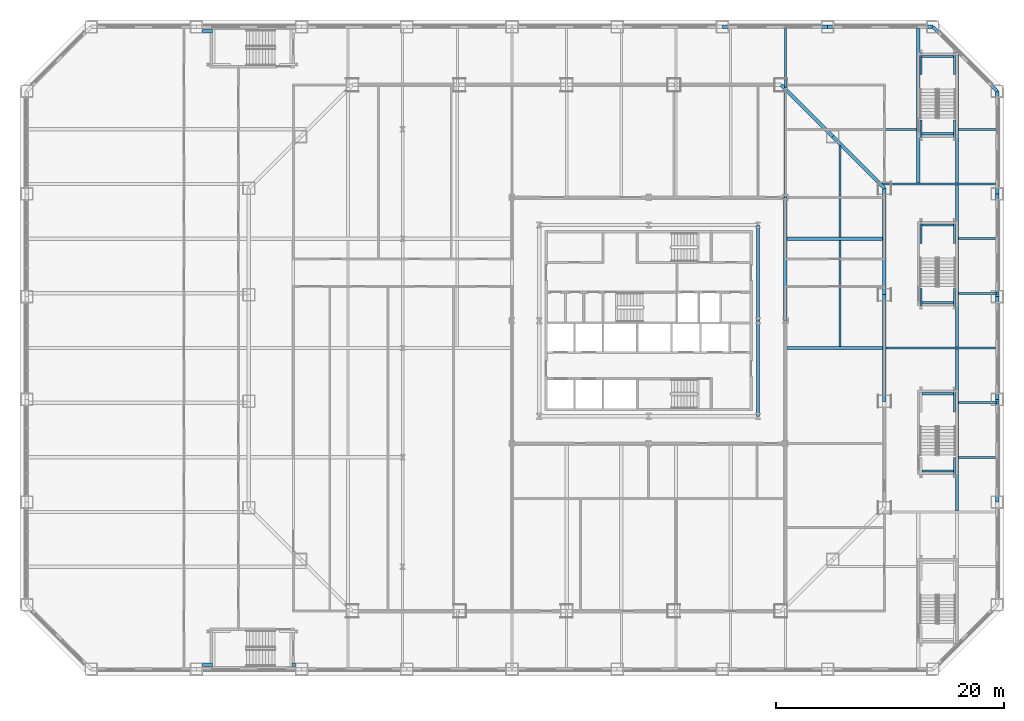
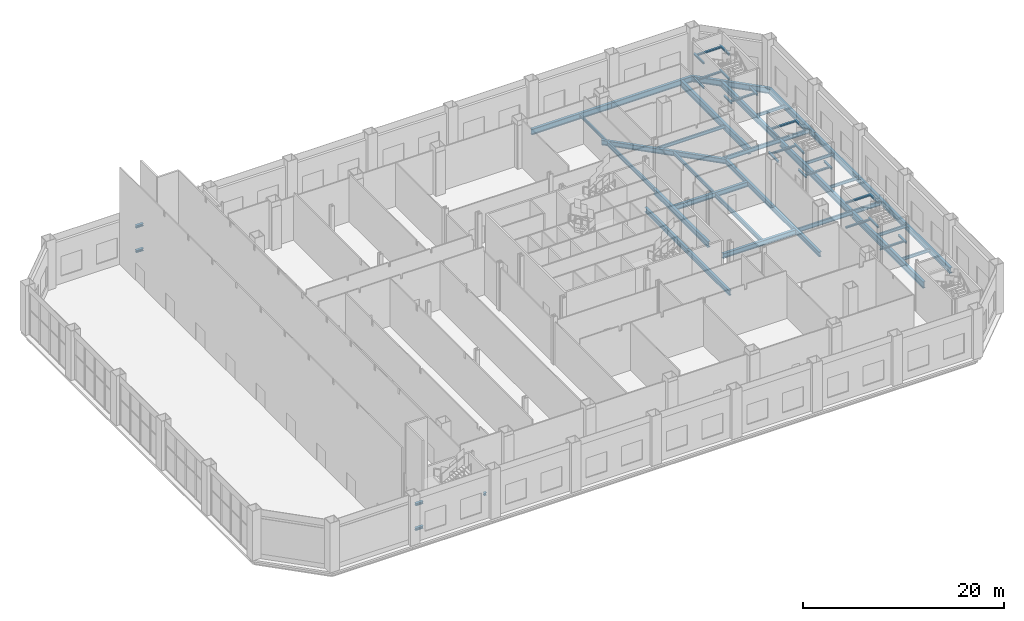
# One storey, part 13 of 31: 61 beams.
"""IFC4 building model written with IfcOpenShell, lengths in metres."""

from ifc_helpers import new_model, si_unit, direction, frame, origin, origin_2d, place, context, subcontext, project, spatial, i_section, extrude, material, material_profile, profile_set, type_object, element, save


model = new_model("IFC4")

# Units and contexts
model_context = context("Model", 3, precision=1e-05, world=origin(), true_north=direction((0.0, 1.0)))
body_context = subcontext(model_context, "Body", "Model", "MODEL_VIEW")
ifc_project = project(units=[si_unit("LENGTHUNIT", "METRE"), si_unit("AREAUNIT", "SQUARE_METRE"), si_unit("VOLUMEUNIT", "CUBIC_METRE"), si_unit("PLANEANGLEUNIT", "RADIAN"), si_unit("MASSUNIT", "GRAM", prefix="KILO")], contexts=[model_context])

# Site, building, storey
site_placement = place(None, origin())
site = spatial("IfcSite", under=ifc_project, at=site_placement, CompositionType="ELEMENT")
building_placement = place(site_placement, origin())
building = spatial("IfcBuilding", under=site, at=building_placement, Name="Cairn Pilgrim Tower", CompositionType="ELEMENT")
storey_placement = place(building_placement, frame((0.0, 0.0, 9.0)))
storey = spatial("IfcBuildingStorey", under=building, at=storey_placement, Name="L01", CompositionType="ELEMENT", Elevation=9.0)

# Beams
ifc_material = material(Name="Structural steel S355J2", Category="steel")
ifc_material_profile_1 = material_profile(ifc_material, i_section(OverallWidth=0.169921875, OverallDepth=0.360107421875, WebThickness=0.008056640625, FlangeThickness=0.0126953125, FilletRadius=0.01806640625, at=origin_2d()), Name="IPE 360")
ifc_profile_set_1 = profile_set([ifc_material_profile_1], Name="Structural steel S355J2")
beam_type_1 = type_object("IfcBeamType", Name="PODIUM BEAM IPE 360", PredefinedType="BEAM", material=ifc_profile_set_1)
beam_1_placement = place(storey_placement, frame((34.422119140625, -9.60009765625, -0.3798828125), z_axis=(1.0, 0.0, 0.0), x_axis=(0.0, 1.0, 0.0)))
element("IfcBeam", 1, at=beam_1_placement, inside=storey, type_object=beam_type_1, Name="PODIUM BEAM PB-IPE360", PredefinedType="BEAM", context=body_context, shape_type="SweptSolid", body=[
    extrude(i_section(OverallWidth=0.169921875, OverallDepth=0.360107421875, WebThickness=0.008056640625, FlangeThickness=0.0126953125, FilletRadius=0.01806640625, at=origin_2d()), origin(), (0.0, 0.0, 1.0), 3.225830078125),
])
for number, where, z_axis, x_axis, name in (
    (2, (34.422119140625, -4.800048828125, -0.3798828125), (1.0, 0.0, 0.0), (0.0, 1.0, 0.0), "PODIUM BEAM PB-IPE360"),
    (3, (34.422119140625, 4.800048828125, -0.3798828125), (1.0, 0.0, 0.0), (0.0, 1.0, 0.0), "PODIUM BEAM PB-IPE360"),
):
    element("IfcBeam", number, at=place(storey_placement, frame(where, z_axis=z_axis, x_axis=x_axis)), inside=storey, type_object=beam_type_1, Name=name, PredefinedType="BEAM", context=body_context, shape_type="SweptSolid", body=[
        extrude(i_section(OverallWidth=0.169921875, OverallDepth=0.360107421875, WebThickness=0.008056640625, FlangeThickness=0.0126953125, FilletRadius=0.01806640625, at=origin_2d()), origin(), (0.0, 0.0, 1.0), 3.3779296875),
    ])
for number, where, z_axis, x_axis, name in (
    (4, (34.422119140625, 9.60009765625, -0.3798828125), (1.0, 0.0, 0.0), (0.0, 1.0, 0.0), "PODIUM BEAM PB-IPE360"),
    (5, (34.422119140625, 19.199951171875, -0.3798828125), (1.0, 0.0, 0.0), (0.0, 1.0, 0.0), "PODIUM BEAM PB-IPE360"),
):
    element("IfcBeam", number, at=place(storey_placement, frame(where, z_axis=z_axis, x_axis=x_axis)), inside=storey, type_object=beam_type_1, Name=name, PredefinedType="BEAM", context=body_context, shape_type="SweptSolid", body=[
        extrude(i_section(OverallWidth=0.169921875, OverallDepth=0.360107421875, WebThickness=0.008056640625, FlangeThickness=0.0126953125, FilletRadius=0.01806640625, at=origin_2d()), origin(), (0.0, 0.0, 1.0), 3.225830078125),
    ])
beam_2_placement = place(storey_placement, frame((19.199951171875, 22.879150390625, -0.3798828125), z_axis=(0.0, 1.0, 0.0), x_axis=(-1.0, 0.0, 0.0)))
element("IfcBeam", 6, at=beam_2_placement, inside=storey, type_object=beam_type_1, Name="PODIUM BEAM PB-IPE360", PredefinedType="BEAM", context=body_context, shape_type="SweptSolid", body=[
    extrude(i_section(OverallWidth=0.169921875, OverallDepth=0.360107421875, WebThickness=0.008056640625, FlangeThickness=0.0126953125, FilletRadius=0.01806640625, at=origin_2d()), origin(), (0.0, 0.0, 1.0), 5.1689453125),
])
ifc_material_profile_2 = material_profile(ifc_material, i_section(OverallWidth=0.179931640625, OverallDepth=0.39990234375, WebThickness=0.008544921875, FlangeThickness=0.013427734375, FilletRadius=0.02099609375, at=origin_2d()), Name="IPE 400")
ifc_profile_set_2 = profile_set([ifc_material_profile_2], Name="Structural steel S355J2")
beam_type_2 = type_object("IfcBeamType", Name="PODIUM BEAM IPE 400", PredefinedType="BEAM", material=ifc_profile_set_2)
beam_3_placement = place(storey_placement, frame((24.0, 9.751953125, -0.39990234375), z_axis=(0.0, 1.0, 0.0), x_axis=(-1.0, 0.0, 0.0)))
element("IfcBeam", 7, at=beam_3_placement, inside=storey, type_object=beam_type_2, Name="PODIUM BEAM PB-IPE400", PredefinedType="BEAM", context=body_context, shape_type="SweptSolid", body=[
    extrude(i_section(OverallWidth=0.179931640625, OverallDepth=0.39990234375, WebThickness=0.008544921875, FlangeThickness=0.013427734375, FilletRadius=0.02099609375, at=origin_2d()), origin(), (0.0, 0.0, 1.0), 8.023193359375),
])
beam_4_placement = place(storey_placement, frame((22.879150390625, 19.199951171875, -0.39990234375), z_axis=(1.0, 0.0, 0.0), x_axis=(0.0, 1.0, 0.0)))
element("IfcBeam", 8, at=beam_4_placement, inside=storey, type_object=beam_type_2, Name="PODIUM BEAM PB-IPE400", PredefinedType="BEAM", context=body_context, shape_type="SweptSolid", body=[
    extrude(i_section(OverallWidth=0.179931640625, OverallDepth=0.39990234375, WebThickness=0.008544921875, FlangeThickness=0.013427734375, FilletRadius=0.02099609375, at=origin_2d()), origin(), (0.0, 0.0, 1.0), 7.848876953125),
])
ifc_material_profile_3 = material_profile(ifc_material, i_section(OverallWidth=0.199951171875, OverallDepth=0.5, WebThickness=0.01025390625, FlangeThickness=0.01611328125, FilletRadius=0.02099609375, at=origin_2d()), Name="IPE 500")
ifc_profile_set_3 = profile_set([ifc_material_profile_3], Name="Structural steel S355J2")
beam_type_3 = type_object("IfcBeamType", Name="PODIUM BEAM IPE 500", PredefinedType="BEAM", material=ifc_profile_set_3)
beam_5_placement = place(storey_placement, frame((19.199951171875, 13.199951171875, -0.449951171875), z_axis=(0.0, 1.0, 0.0), x_axis=(-1.0, 0.0, 0.0)))
element("IfcBeam", 9, at=beam_5_placement, inside=storey, type_object=beam_type_3, Name="PODIUM BEAM PB-IPE500", PredefinedType="BEAM", context=body_context, shape_type="SweptSolid", body=[
    extrude(i_section(OverallWidth=0.199951171875, OverallDepth=0.5, WebThickness=0.01025390625, FlangeThickness=0.01611328125, FilletRadius=0.02099609375, at=origin_2d()), origin(), (0.0, 0.0, 1.0), 9.375244140625),
])
beam_6_placement = place(storey_placement, frame((24.0, 0.152099609375, -0.449951171875), z_axis=(0.0, 1.0, 0.0), x_axis=(-1.0, 0.0, 0.0)))
element("IfcBeam", 10, at=beam_6_placement, inside=storey, type_object=beam_type_3, Name="PODIUM BEAM PB-IPE500", PredefinedType="BEAM", context=body_context, shape_type="SweptSolid", body=[
    extrude(i_section(OverallWidth=0.199951171875, OverallDepth=0.5, WebThickness=0.01025390625, FlangeThickness=0.01611328125, FilletRadius=0.02099609375, at=origin_2d()), origin(), (0.0, 0.0, 1.0), 9.2958984375),
])
beam_7_placement = place(storey_placement, frame((28.052001953125, 0.0, -0.449951171875), z_axis=(1.0, 0.0, 0.0), x_axis=(0.0, 1.0, 0.0)))
element("IfcBeam", 11, at=beam_7_placement, inside=storey, type_object=beam_type_3, Name="PODIUM BEAM PB-IPE500", PredefinedType="BEAM", context=body_context, shape_type="SweptSolid", body=[
    extrude(i_section(OverallWidth=0.199951171875, OverallDepth=0.5, WebThickness=0.01025390625, FlangeThickness=0.01611328125, FilletRadius=0.02099609375, at=origin_2d()), origin(), (0.0, 0.0, 1.0), 9.595947265625),
])
beam_8_placement = place(storey_placement, frame((27.67919921875, 14.39990234375, -0.449951171875), z_axis=(1.0, 0.0, 0.0), x_axis=(0.0, 1.0, 0.0)))
element("IfcBeam", 12, at=beam_8_placement, inside=storey, type_object=beam_type_3, Name="PODIUM BEAM PB-IPE500", PredefinedType="BEAM", context=body_context, shape_type="SweptSolid", body=[
    extrude(i_section(OverallWidth=0.199951171875, OverallDepth=0.5, WebThickness=0.01025390625, FlangeThickness=0.01611328125, FilletRadius=0.02099609375, at=origin_2d()), origin(), (0.0, 0.0, 1.0), 9.96875),
])
ifc_material_profile_4 = material_profile(ifc_material, i_section(OverallWidth=0.300048828125, OverallDepth=0.699951171875, WebThickness=0.01708984375, FlangeThickness=0.031982421875, FilletRadius=0.027099609375, at=origin_2d()), Name="HEB 700")
ifc_profile_set_4 = profile_set([ifc_material_profile_4], Name="Structural steel S355J2")
beam_type_4 = type_object("IfcBeamType", Name="PODIUM EDGE GIRDER HE 700 B", PredefinedType="BEAM", material=ifc_profile_set_4)
beam_9_placement = place(storey_placement, frame((37.800048828125, -13.531005859375, -0.550048828125), z_axis=(0.0, 1.0, 0.0), x_axis=(-1.0, 0.0, 0.0)))
element("IfcBeam", 13, at=beam_9_placement, inside=storey, type_object=beam_type_4, Name="PODIUM EDGE GIRDER PE-HE700B", PredefinedType="BEAM", context=body_context, shape_type="SweptSolid", body=[
    extrude(i_section(OverallWidth=0.300048828125, OverallDepth=0.699951171875, WebThickness=0.01708984375, FlangeThickness=0.031982421875, FilletRadius=0.027099609375, at=origin_2d()), origin(), (0.0, 0.0, 1.0), 9.020751953125),
])
beam_10_placement = place(storey_placement, frame((37.800048828125, -4.51025390625, -0.550048828125), z_axis=(0.0, 1.0, 0.0), x_axis=(-1.0, 0.0, 0.0)))
element("IfcBeam", 14, at=beam_10_placement, inside=storey, type_object=beam_type_4, Name="PODIUM EDGE GIRDER PE-HE700B", PredefinedType="BEAM", context=body_context, shape_type="SweptSolid", body=[
    extrude(i_section(OverallWidth=0.300048828125, OverallDepth=0.699951171875, WebThickness=0.01708984375, FlangeThickness=0.031982421875, FilletRadius=0.027099609375, at=origin_2d()), origin(), (0.0, 0.0, 1.0), 9.0205078125),
])
beam_11_placement = place(storey_placement, frame((37.800048828125, 4.51025390625, -0.550048828125), z_axis=(0.0, 1.0, 0.0), x_axis=(-1.0, 0.0, 0.0)))
element("IfcBeam", 15, at=beam_11_placement, inside=storey, type_object=beam_type_4, Name="PODIUM EDGE GIRDER PE-HE700B", PredefinedType="BEAM", context=body_context, shape_type="SweptSolid", body=[
    extrude(i_section(OverallWidth=0.300048828125, OverallDepth=0.699951171875, WebThickness=0.01708984375, FlangeThickness=0.031982421875, FilletRadius=0.027099609375, at=origin_2d()), origin(), (0.0, 0.0, 1.0), 9.020751953125),
])
beam_12_placement = place(storey_placement, frame((37.800048828125, 13.531005859375, -0.550048828125), z_axis=(0.0, 1.0, 0.0), x_axis=(-1.0, 0.0, 0.0)))
element("IfcBeam", 16, at=beam_12_placement, inside=storey, type_object=beam_type_4, Name="PODIUM EDGE GIRDER PE-HE700B", PredefinedType="BEAM", context=body_context, shape_type="SweptSolid", body=[
    extrude(i_section(OverallWidth=0.300048828125, OverallDepth=0.699951171875, WebThickness=0.01708984375, FlangeThickness=0.031982421875, FilletRadius=0.027099609375, at=origin_2d()), origin(), (0.0, 0.0, 1.0), 9.0205078125),
])
beam_13_placement = place(storey_placement, frame((37.800048828125, 22.551513671875, -0.550048828125), z_axis=(-0.707106781187, 0.707106781187, 0.0), x_axis=(-0.707106781187, -0.707106781187, 0.0)))
element("IfcBeam", 17, at=beam_13_placement, inside=storey, type_object=beam_type_4, Name="PODIUM EDGE GIRDER PE-HE700B", PredefinedType="BEAM", context=body_context, shape_type="SweptSolid", body=[
    extrude(i_section(OverallWidth=0.300048828125, OverallDepth=0.699951171875, WebThickness=0.01708984375, FlangeThickness=0.031982421875, FilletRadius=0.027099609375, at=origin_2d()), origin(), (0.0, 0.0, 1.0), 7.988037109375),
])
beam_14_placement = place(storey_placement, frame((32.151611328125, 28.199951171875, -0.550048828125), z_axis=(-1.0, 0.0, 0.0), x_axis=(0.0, -1.0, 0.0)))
element("IfcBeam", 18, at=beam_14_placement, inside=storey, type_object=beam_type_4, Name="PODIUM EDGE GIRDER PE-HE700B", PredefinedType="BEAM", context=body_context, shape_type="SweptSolid", body=[
    extrude(i_section(OverallWidth=0.300048828125, OverallDepth=0.699951171875, WebThickness=0.01708984375, FlangeThickness=0.031982421875, FilletRadius=0.027099609375, at=origin_2d()), origin(), (0.0, 0.0, 1.0), 9.238037109375),
])
beam_15_placement = place(storey_placement, frame((22.91357421875, 28.199951171875, -0.550048828125), z_axis=(-1.0, 0.0, 0.0), x_axis=(0.0, -1.0, 0.0)))
element("IfcBeam", 19, at=beam_15_placement, inside=storey, type_object=beam_type_4, Name="PODIUM EDGE GIRDER PE-HE700B", PredefinedType="BEAM", context=body_context, shape_type="SweptSolid", body=[
    extrude(i_section(OverallWidth=0.300048828125, OverallDepth=0.699951171875, WebThickness=0.01708984375, FlangeThickness=0.031982421875, FilletRadius=0.027099609375, at=origin_2d()), origin(), (0.0, 0.0, 1.0), 9.23779296875),
])
ifc_material_profile_5 = material_profile(ifc_material, i_section(OverallWidth=0.300048828125, OverallDepth=0.60009765625, WebThickness=0.015380859375, FlangeThickness=0.030029296875, FilletRadius=0.027099609375, at=origin_2d()), Name="HEB 600")
ifc_profile_set_5 = profile_set([ifc_material_profile_5], Name="Structural steel S355J2")
beam_type_5 = type_object("IfcBeamType", Name="PODIUM GIRDER HE 600 B", PredefinedType="BEAM", material=ifc_profile_set_5)
beam_16_placement = place(storey_placement, frame((27.89990234375, -4.67578125, -0.5), z_axis=(0.0, 1.0, 0.0), x_axis=(-1.0, 0.0, 0.0)))
element("IfcBeam", 20, at=beam_16_placement, inside=storey, type_object=beam_type_5, Name="PODIUM GIRDER PG-HE600B", PredefinedType="BEAM", context=body_context, shape_type="SweptSolid", body=[
    extrude(i_section(OverallWidth=0.300048828125, OverallDepth=0.60009765625, WebThickness=0.015380859375, FlangeThickness=0.030029296875, FilletRadius=0.027099609375, at=origin_2d()), origin(), (0.0, 0.0, 1.0), 9.3515625),
])
beam_17_placement = place(storey_placement, frame((27.89990234375, 4.67578125, -0.5), z_axis=(0.0, 1.0, 0.0), x_axis=(-1.0, 0.0, 0.0)))
element("IfcBeam", 21, at=beam_17_placement, inside=storey, type_object=beam_type_5, Name="PODIUM GIRDER PG-HE600B", PredefinedType="BEAM", context=body_context, shape_type="SweptSolid", body=[
    extrude(i_section(OverallWidth=0.300048828125, OverallDepth=0.60009765625, WebThickness=0.015380859375, FlangeThickness=0.030029296875, FilletRadius=0.027099609375, at=origin_2d()), origin(), (0.0, 0.0, 1.0), 9.351318359375),
])
for number, where, z_axis, x_axis, name in (
    (22, (27.89990234375, 14.027099609375, -0.5), (-0.707087753759, 0.707125808102, 0.0), (-0.707125808102, -0.707087753759, 0.0), "PODIUM GIRDER PG-HE600B"),
    (23, (23.363525390625, 18.563720703125, -0.5), (-0.707106781187, 0.707106781187, 0.0), (-0.707106781187, -0.707106781187, 0.0), "PODIUM GIRDER PG-HE600B"),
):
    element("IfcBeam", number, at=place(storey_placement, frame(where, z_axis=z_axis, x_axis=x_axis)), inside=storey, type_object=beam_type_5, Name=name, PredefinedType="BEAM", context=body_context, shape_type="SweptSolid", body=[
        extrude(i_section(OverallWidth=0.300048828125, OverallDepth=0.60009765625, WebThickness=0.015380859375, FlangeThickness=0.030029296875, FilletRadius=0.027099609375, at=origin_2d()), origin(), (0.0, 0.0, 1.0), 6.41552734375),
    ])
beam_18_placement = place(storey_placement, frame((16.800048828125, -6.0, -0.5), z_axis=(0.0, 1.0, 0.0), x_axis=(-1.0, 0.0, 0.0)))
element("IfcBeam", 24, at=beam_18_placement, inside=storey, type_object=beam_type_5, Name="PODIUM GIRDER PG-HE600B", PredefinedType="BEAM", context=body_context, shape_type="SweptSolid", body=[
    extrude(i_section(OverallWidth=0.300048828125, OverallDepth=0.60009765625, WebThickness=0.015380859375, FlangeThickness=0.030029296875, FilletRadius=0.027099609375, at=origin_2d()), origin(), (0.0, 0.0, 1.0), 8.39990234375),
])
beam_19_placement = place(storey_placement, frame((16.800048828125, 2.39990234375, -0.5), z_axis=(0.0, 1.0, 0.0), x_axis=(-1.0, 0.0, 0.0)))
element("IfcBeam", 25, at=beam_19_placement, inside=storey, type_object=beam_type_5, Name="PODIUM GIRDER PG-HE600B", PredefinedType="BEAM", context=body_context, shape_type="SweptSolid", body=[
    extrude(i_section(OverallWidth=0.300048828125, OverallDepth=0.60009765625, WebThickness=0.015380859375, FlangeThickness=0.030029296875, FilletRadius=0.027099609375, at=origin_2d()), origin(), (0.0, 0.0, 1.0), 8.400146484375),
])
for number, where, z_axis, x_axis, name in (
    (26, (19.35205078125, 0.0, -0.5), (1.0, 0.0, 0.0), (0.0, 1.0, 0.0), "PODIUM GIRDER PG-HE600B"),
    (27, (19.35205078125, 9.60009765625, -0.5), (1.0, 0.0, 0.0), (0.0, 1.0, 0.0), "PODIUM GIRDER PG-HE600B"),
):
    element("IfcBeam", number, at=place(storey_placement, frame(where, z_axis=z_axis, x_axis=x_axis)), inside=storey, type_object=beam_type_5, Name=name, PredefinedType="BEAM", context=body_context, shape_type="SweptSolid", body=[
        extrude(i_section(OverallWidth=0.300048828125, OverallDepth=0.60009765625, WebThickness=0.015380859375, FlangeThickness=0.030029296875, FilletRadius=0.027099609375, at=origin_2d()), origin(), (0.0, 0.0, 1.0), 8.39599609375),
    ])
ifc_material_profile_6 = material_profile(ifc_material, i_section(OverallWidth=0.300048828125, OverallDepth=0.699951171875, WebThickness=0.01708984375, FlangeThickness=0.031982421875, FilletRadius=0.027099609375, at=origin_2d()), Name="HEB 700")
ifc_profile_set_6 = profile_set([ifc_material_profile_6], Name="Structural steel S355J2")
beam_type_6 = type_object("IfcBeamType", Name="PODIUM GIRDER HE 700 B", PredefinedType="BEAM", material=ifc_profile_set_6)
beam_20_placement = place(storey_placement, frame((19.199951171875, 2.39990234375, -0.550048828125), z_axis=(0.0, 1.0, 0.0), x_axis=(-1.0, 0.0, 0.0)))
element("IfcBeam", 28, at=beam_20_placement, inside=storey, type_object=beam_type_6, Name="PODIUM GIRDER PG-HE700B", PredefinedType="BEAM", context=body_context, shape_type="SweptSolid", body=[
    extrude(i_section(OverallWidth=0.300048828125, OverallDepth=0.699951171875, WebThickness=0.01708984375, FlangeThickness=0.031982421875, FilletRadius=0.027099609375, at=origin_2d()), origin(), (0.0, 0.0, 1.0), 10.800048828125),
])
beam_21_placement = place(storey_placement, frame((34.27001953125, 14.501953125, -0.550048828125), z_axis=(0.0, 1.0, 0.0), x_axis=(-1.0, 0.0, 0.0)))
element("IfcBeam", 29, at=beam_21_placement, inside=storey, type_object=beam_type_6, Name="PODIUM GIRDER PG-HE700B", PredefinedType="BEAM", context=body_context, shape_type="SweptSolid", body=[
    extrude(i_section(OverallWidth=0.300048828125, OverallDepth=0.699951171875, WebThickness=0.01708984375, FlangeThickness=0.031982421875, FilletRadius=0.027099609375, at=origin_2d()), origin(), (0.0, 0.0, 1.0), 11.427490234375),
])
ifc_material_profile_7 = material_profile(ifc_material, i_section(OverallWidth=0.300048828125, OverallDepth=0.800048828125, WebThickness=0.017578125, FlangeThickness=0.032958984375, FilletRadius=0.030029296875, at=origin_2d()), Name="HEB 800")
ifc_profile_set_7 = profile_set([ifc_material_profile_7], Name="Structural steel S355J2")
beam_type_7 = type_object("IfcBeamType", Name="PODIUM GIRDER HE 800 B", PredefinedType="BEAM", material=ifc_profile_set_7)
for number, where, z_axis, x_axis, name in (
    (30, (34.27001953125, -14.298095703125, -0.60009765625), (0.0, 1.0, 0.0), (-1.0, 0.0, 0.0), "PODIUM GIRDER PG-HE800B"),
    (31, (34.27001953125, 0.10205078125, -0.60009765625), (0.0, 1.0, 0.0), (-1.0, 0.0, 0.0), "PODIUM GIRDER PG-HE800B"),
):
    element("IfcBeam", number, at=place(storey_placement, frame(where, z_axis=z_axis, x_axis=x_axis)), inside=storey, type_object=beam_type_7, Name=name, PredefinedType="BEAM", context=body_context, shape_type="SweptSolid", body=[
        extrude(i_section(OverallWidth=0.300048828125, OverallDepth=0.800048828125, WebThickness=0.017578125, FlangeThickness=0.032958984375, FilletRadius=0.030029296875, at=origin_2d()), origin(), (0.0, 0.0, 1.0), 14.196044921875),
    ])
beam_22_placement = place(storey_placement, frame((30.8798828125, 14.501953125, -0.60009765625), z_axis=(0.0, 1.0, 0.0), x_axis=(-1.0, 0.0, 0.0)))
element("IfcBeam", 32, at=beam_22_placement, inside=storey, type_object=beam_type_7, Name="PODIUM GIRDER PG-HE800B", PredefinedType="BEAM", context=body_context, shape_type="SweptSolid", body=[
    extrude(i_section(OverallWidth=0.300048828125, OverallDepth=0.800048828125, WebThickness=0.017578125, FlangeThickness=0.032958984375, FilletRadius=0.030029296875, at=origin_2d()), origin(), (0.0, 0.0, 1.0), 13.546142578125),
])
ifc_material_profile_8 = material_profile(ifc_material, i_section(OverallWidth=0.199951171875, OverallDepth=0.199951171875, WebThickness=0.009033203125, FlangeThickness=0.014892578125, FilletRadius=0.01806640625, at=origin_2d()), Name="HE 200 B")
ifc_profile_set_8 = profile_set([ifc_material_profile_8], Name="Structural steel S355J2")
beam_type_8 = type_object("IfcBeamType", Name="STAIR LANDING BEAM HE 200 B", PredefinedType="BEAM", material=ifc_profile_set_8)
beam_23_placement = place(storey_placement, frame((34.044921875, -3.659912109375, 1.199951171875), z_axis=(0.0, -1.0, 0.0), x_axis=(1.0, 0.0, 0.0)))
element("IfcBeam", 33, at=beam_23_placement, inside=storey, type_object=beam_type_8, Name="STAIR LANDING BEAM LD-HE200B", PredefinedType="BEAM", context=body_context, shape_type="SweptSolid", body=[
    extrude(i_section(OverallWidth=0.199951171875, OverallDepth=0.199951171875, WebThickness=0.009033203125, FlangeThickness=0.014892578125, FilletRadius=0.01806640625, at=origin_2d()), origin(), (0.0, 0.0, 1.0), 1.945068359375),
])
beam_24_placement = place(storey_placement, frame((31.205078125, -4.0048828125, 1.199951171875), z_axis=(1.0, 0.0, 0.0), x_axis=(0.0, 1.0, 0.0)))
element("IfcBeam", 34, at=beam_24_placement, inside=storey, type_object=beam_type_8, Name="STAIR LANDING BEAM LD-HE200B", PredefinedType="BEAM", context=body_context, shape_type="SweptSolid", body=[
    extrude(i_section(OverallWidth=0.199951171875, OverallDepth=0.199951171875, WebThickness=0.009033203125, FlangeThickness=0.014892578125, FilletRadius=0.01806640625, at=origin_2d()), origin(), (0.0, 0.0, 1.0), 2.739990234375),
])
beam_25_placement = place(storey_placement, frame((34.044921875, -11.139892578125, 2.699951171875), z_axis=(0.0, 1.0, 0.0), x_axis=(-1.0, 0.0, 0.0)))
element("IfcBeam", 35, at=beam_25_placement, inside=storey, type_object=beam_type_8, Name="STAIR LANDING BEAM LD-HE200B", PredefinedType="BEAM", context=body_context, shape_type="SweptSolid", body=[
    extrude(i_section(OverallWidth=0.199951171875, OverallDepth=0.199951171875, WebThickness=0.009033203125, FlangeThickness=0.014892578125, FilletRadius=0.01806640625, at=origin_2d()), origin(), (0.0, 0.0, 1.0), 1.544921875),
])
beam_26_placement = place(storey_placement, frame((31.205078125, -10.794921875, 2.699951171875), z_axis=(1.0, 0.0, 0.0), x_axis=(0.0, 1.0, 0.0)))
element("IfcBeam", 36, at=beam_26_placement, inside=storey, type_object=beam_type_8, Name="STAIR LANDING BEAM LD-HE200B", PredefinedType="BEAM", context=body_context, shape_type="SweptSolid", body=[
    extrude(i_section(OverallWidth=0.199951171875, OverallDepth=0.199951171875, WebThickness=0.009033203125, FlangeThickness=0.014892578125, FilletRadius=0.01806640625, at=origin_2d()), origin(), (0.0, 0.0, 1.0), 2.739990234375),
])
beam_27_placement = place(storey_placement, frame((34.044921875, -3.659912109375, 4.199951171875), z_axis=(0.0, -1.0, 0.0), x_axis=(1.0, 0.0, 0.0)))
element("IfcBeam", 37, at=beam_27_placement, inside=storey, type_object=beam_type_8, Name="STAIR LANDING BEAM LD-HE200B", PredefinedType="BEAM", context=body_context, shape_type="SweptSolid", body=[
    extrude(i_section(OverallWidth=0.199951171875, OverallDepth=0.199951171875, WebThickness=0.009033203125, FlangeThickness=0.014892578125, FilletRadius=0.01806640625, at=origin_2d()), origin(), (0.0, 0.0, 1.0), 1.945068359375),
])
beam_28_placement = place(storey_placement, frame((31.205078125, -4.0048828125, 4.199951171875), z_axis=(1.0, 0.0, 0.0), x_axis=(0.0, 1.0, 0.0)))
element("IfcBeam", 38, at=beam_28_placement, inside=storey, type_object=beam_type_8, Name="STAIR LANDING BEAM LD-HE200B", PredefinedType="BEAM", context=body_context, shape_type="SweptSolid", body=[
    extrude(i_section(OverallWidth=0.199951171875, OverallDepth=0.199951171875, WebThickness=0.009033203125, FlangeThickness=0.014892578125, FilletRadius=0.01806640625, at=origin_2d()), origin(), (0.0, 0.0, 1.0), 2.739990234375),
])
for number, where, z_axis, x_axis, name in (
    (39, (31.10498046875, 11.139892578125, 1.199951171875), (0.0, -1.0, 0.0), (1.0, 0.0, 0.0), "STAIR LANDING BEAM LD-HE200B"),
    (40, (34.044921875, 11.139892578125, 1.199951171875), (0.0, -1.0, 0.0), (1.0, 0.0, 0.0), "STAIR LANDING BEAM LD-HE200B"),
):
    element("IfcBeam", number, at=place(storey_placement, frame(where, z_axis=z_axis, x_axis=x_axis)), inside=storey, type_object=beam_type_8, Name=name, PredefinedType="BEAM", context=body_context, shape_type="SweptSolid", body=[
        extrude(i_section(OverallWidth=0.199951171875, OverallDepth=0.199951171875, WebThickness=0.009033203125, FlangeThickness=0.014892578125, FilletRadius=0.01806640625, at=origin_2d()), origin(), (0.0, 0.0, 1.0), 1.94482421875),
    ])
beam_29_placement = place(storey_placement, frame((31.205078125, 10.794921875, 1.199951171875), z_axis=(1.0, 0.0, 0.0), x_axis=(0.0, 1.0, 0.0)))
element("IfcBeam", 41, at=beam_29_placement, inside=storey, type_object=beam_type_8, Name="STAIR LANDING BEAM LD-HE200B", PredefinedType="BEAM", context=body_context, shape_type="SweptSolid", body=[
    extrude(i_section(OverallWidth=0.199951171875, OverallDepth=0.199951171875, WebThickness=0.009033203125, FlangeThickness=0.014892578125, FilletRadius=0.01806640625, at=origin_2d()), origin(), (0.0, 0.0, 1.0), 2.739990234375),
])
for number, where, z_axis, x_axis, name in (
    (42, (31.10498046875, 3.659912109375, 2.699951171875), (0.0, 1.0, 0.0), (-1.0, 0.0, 0.0), "STAIR LANDING BEAM LD-HE200B"),
    (43, (34.044921875, 3.659912109375, 2.699951171875), (0.0, 1.0, 0.0), (-1.0, 0.0, 0.0), "STAIR LANDING BEAM LD-HE200B"),
):
    element("IfcBeam", number, at=place(storey_placement, frame(where, z_axis=z_axis, x_axis=x_axis)), inside=storey, type_object=beam_type_8, Name=name, PredefinedType="BEAM", context=body_context, shape_type="SweptSolid", body=[
        extrude(i_section(OverallWidth=0.199951171875, OverallDepth=0.199951171875, WebThickness=0.009033203125, FlangeThickness=0.014892578125, FilletRadius=0.01806640625, at=origin_2d()), origin(), (0.0, 0.0, 1.0), 1.545166015625),
    ])
beam_30_placement = place(storey_placement, frame((31.205078125, 4.0048828125, 2.699951171875), z_axis=(1.0, 0.0, 0.0), x_axis=(0.0, 1.0, 0.0)))
element("IfcBeam", 44, at=beam_30_placement, inside=storey, type_object=beam_type_8, Name="STAIR LANDING BEAM LD-HE200B", PredefinedType="BEAM", context=body_context, shape_type="SweptSolid", body=[
    extrude(i_section(OverallWidth=0.199951171875, OverallDepth=0.199951171875, WebThickness=0.009033203125, FlangeThickness=0.014892578125, FilletRadius=0.01806640625, at=origin_2d()), origin(), (0.0, 0.0, 1.0), 2.739990234375),
])
for number, where, z_axis, x_axis, name in (
    (45, (31.10498046875, 11.139892578125, 4.199951171875), (0.0, -1.0, 0.0), (1.0, 0.0, 0.0), "STAIR LANDING BEAM LD-HE200B"),
    (46, (34.044921875, 11.139892578125, 4.199951171875), (0.0, -1.0, 0.0), (1.0, 0.0, 0.0), "STAIR LANDING BEAM LD-HE200B"),
):
    element("IfcBeam", number, at=place(storey_placement, frame(where, z_axis=z_axis, x_axis=x_axis)), inside=storey, type_object=beam_type_8, Name=name, PredefinedType="BEAM", context=body_context, shape_type="SweptSolid", body=[
        extrude(i_section(OverallWidth=0.199951171875, OverallDepth=0.199951171875, WebThickness=0.009033203125, FlangeThickness=0.014892578125, FilletRadius=0.01806640625, at=origin_2d()), origin(), (0.0, 0.0, 1.0), 1.94482421875),
    ])
beam_31_placement = place(storey_placement, frame((31.205078125, 10.794921875, 4.199951171875), z_axis=(1.0, 0.0, 0.0), x_axis=(0.0, 1.0, 0.0)))
element("IfcBeam", 47, at=beam_31_placement, inside=storey, type_object=beam_type_8, Name="STAIR LANDING BEAM LD-HE200B", PredefinedType="BEAM", context=body_context, shape_type="SweptSolid", body=[
    extrude(i_section(OverallWidth=0.199951171875, OverallDepth=0.199951171875, WebThickness=0.009033203125, FlangeThickness=0.014892578125, FilletRadius=0.01806640625, at=origin_2d()), origin(), (0.0, 0.0, 1.0), 2.739990234375),
])
for number, where, z_axis, x_axis, name in (
    (48, (31.10498046875, 25.93994140625, 1.199951171875), (0.0, -1.0, 0.0), (1.0, 0.0, 0.0), "STAIR LANDING BEAM LD-HE200B"),
    (49, (34.044921875, 25.93994140625, 1.199951171875), (0.0, -1.0, 0.0), (1.0, 0.0, 0.0), "STAIR LANDING BEAM LD-HE200B"),
):
    element("IfcBeam", number, at=place(storey_placement, frame(where, z_axis=z_axis, x_axis=x_axis)), inside=storey, type_object=beam_type_8, Name=name, PredefinedType="BEAM", context=body_context, shape_type="SweptSolid", body=[
        extrude(i_section(OverallWidth=0.199951171875, OverallDepth=0.199951171875, WebThickness=0.009033203125, FlangeThickness=0.014892578125, FilletRadius=0.01806640625, at=origin_2d()), origin(), (0.0, 0.0, 1.0), 1.94482421875),
    ])
beam_32_placement = place(storey_placement, frame((31.205078125, 25.594970703125, 1.199951171875), z_axis=(1.0, 0.0, 0.0), x_axis=(0.0, 1.0, 0.0)))
element("IfcBeam", 50, at=beam_32_placement, inside=storey, type_object=beam_type_8, Name="STAIR LANDING BEAM LD-HE200B", PredefinedType="BEAM", context=body_context, shape_type="SweptSolid", body=[
    extrude(i_section(OverallWidth=0.199951171875, OverallDepth=0.199951171875, WebThickness=0.009033203125, FlangeThickness=0.014892578125, FilletRadius=0.01806640625, at=origin_2d()), origin(), (0.0, 0.0, 1.0), 2.739990234375),
])
for number, where, z_axis, x_axis, name in (
    (51, (31.10498046875, 18.4599609375, 2.699951171875), (0.0, 1.0, 0.0), (-1.0, 0.0, 0.0), "STAIR LANDING BEAM LD-HE200B"),
    (52, (34.044921875, 18.4599609375, 2.699951171875), (0.0, 1.0, 0.0), (-1.0, 0.0, 0.0), "STAIR LANDING BEAM LD-HE200B"),
):
    element("IfcBeam", number, at=place(storey_placement, frame(where, z_axis=z_axis, x_axis=x_axis)), inside=storey, type_object=beam_type_8, Name=name, PredefinedType="BEAM", context=body_context, shape_type="SweptSolid", body=[
        extrude(i_section(OverallWidth=0.199951171875, OverallDepth=0.199951171875, WebThickness=0.009033203125, FlangeThickness=0.014892578125, FilletRadius=0.01806640625, at=origin_2d()), origin(), (0.0, 0.0, 1.0), 1.544921875),
    ])
beam_33_placement = place(storey_placement, frame((31.205078125, 18.804931640625, 2.699951171875), z_axis=(1.0, 0.0, 0.0), x_axis=(0.0, 1.0, 0.0)))
element("IfcBeam", 53, at=beam_33_placement, inside=storey, type_object=beam_type_8, Name="STAIR LANDING BEAM LD-HE200B", PredefinedType="BEAM", context=body_context, shape_type="SweptSolid", body=[
    extrude(i_section(OverallWidth=0.199951171875, OverallDepth=0.199951171875, WebThickness=0.009033203125, FlangeThickness=0.014892578125, FilletRadius=0.01806640625, at=origin_2d()), origin(), (0.0, 0.0, 1.0), 2.739990234375),
])
for number, where, z_axis, x_axis, name in (
    (54, (31.10498046875, 25.93994140625, 4.199951171875), (0.0, -1.0, 0.0), (1.0, 0.0, 0.0), "STAIR LANDING BEAM LD-HE200B"),
    (55, (34.044921875, 25.93994140625, 4.199951171875), (0.0, -1.0, 0.0), (1.0, 0.0, 0.0), "STAIR LANDING BEAM LD-HE200B"),
):
    element("IfcBeam", number, at=place(storey_placement, frame(where, z_axis=z_axis, x_axis=x_axis)), inside=storey, type_object=beam_type_8, Name=name, PredefinedType="BEAM", context=body_context, shape_type="SweptSolid", body=[
        extrude(i_section(OverallWidth=0.199951171875, OverallDepth=0.199951171875, WebThickness=0.009033203125, FlangeThickness=0.014892578125, FilletRadius=0.01806640625, at=origin_2d()), origin(), (0.0, 0.0, 1.0), 1.94482421875),
    ])
beam_34_placement = place(storey_placement, frame((31.205078125, 25.594970703125, 4.199951171875), z_axis=(1.0, 0.0, 0.0), x_axis=(0.0, 1.0, 0.0)))
element("IfcBeam", 56, at=beam_34_placement, inside=storey, type_object=beam_type_8, Name="STAIR LANDING BEAM LD-HE200B", PredefinedType="BEAM", context=body_context, shape_type="SweptSolid", body=[
    extrude(i_section(OverallWidth=0.199951171875, OverallDepth=0.199951171875, WebThickness=0.009033203125, FlangeThickness=0.014892578125, FilletRadius=0.01806640625, at=origin_2d()), origin(), (0.0, 0.0, 1.0), 2.739990234375),
])
ifc_material_profile_9 = material_profile(ifc_material, i_section(OverallWidth=0.300048828125, OverallDepth=0.300048828125, WebThickness=0.010986328125, FlangeThickness=0.01904296875, FilletRadius=0.027099609375, at=origin_2d()), Name="HE 300 B")
ifc_profile_set_9 = profile_set([ifc_material_profile_9], Name="Structural steel S355J2")
beam_type_9 = type_object("IfcBeamType", Name="STAIR LANDING BRACKET HE 300 B", PredefinedType="BEAM", material=ifc_profile_set_9)
for number, where, z_axis, x_axis, name in (
    (57, (-31.963623046875, 27.800048828125, 1.14990234375), (1.0, 0.0, 0.0), (0.0, 1.0, 0.0), "STAIR LANDING BRACKET LB-HE300B"),
    (58, (-31.963623046875, 27.800048828125, 4.14990234375), (1.0, 0.0, 0.0), (0.0, 1.0, 0.0), "STAIR LANDING BRACKET LB-HE300B"),
    (59, (-31.963623046875, -27.800048828125, 1.14990234375), (1.0, 0.0, 0.0), (0.0, 1.0, 0.0), "STAIR LANDING BRACKET LB-HE300B"),
):
    element("IfcBeam", number, at=place(storey_placement, frame(where, z_axis=z_axis, x_axis=x_axis)), inside=storey, type_object=beam_type_9, Name=name, PredefinedType="BEAM", context=body_context, shape_type="SweptSolid", body=[
        extrude(i_section(OverallWidth=0.300048828125, OverallDepth=0.300048828125, WebThickness=0.010986328125, FlangeThickness=0.01904296875, FilletRadius=0.027099609375, at=origin_2d()), origin(), (0.0, 0.0, 1.0), 0.86865234375),
    ])
beam_35_placement = place(storey_placement, frame((-23.82568359375, -27.800048828125, 2.64990234375), z_axis=(-1.0, 0.0, 0.0), x_axis=(0.0, -1.0, 0.0)))
element("IfcBeam", 60, at=beam_35_placement, inside=storey, type_object=beam_type_9, Name="STAIR LANDING BRACKET LB-HE300B", PredefinedType="BEAM", context=body_context, shape_type="SweptSolid", body=[
    extrude(i_section(OverallWidth=0.300048828125, OverallDepth=0.300048828125, WebThickness=0.010986328125, FlangeThickness=0.01904296875, FilletRadius=0.027099609375, at=origin_2d()), origin(), (0.0, 0.0, 1.0), 0.279296875),
])
beam_36_placement = place(storey_placement, frame((-31.963623046875, -27.800048828125, 4.14990234375), z_axis=(1.0, 0.0, 0.0), x_axis=(0.0, 1.0, 0.0)))
element("IfcBeam", 61, at=beam_36_placement, inside=storey, type_object=beam_type_9, Name="STAIR LANDING BRACKET LB-HE300B", PredefinedType="BEAM", context=body_context, shape_type="SweptSolid", body=[
    extrude(i_section(OverallWidth=0.300048828125, OverallDepth=0.300048828125, WebThickness=0.010986328125, FlangeThickness=0.01904296875, FilletRadius=0.027099609375, at=origin_2d()), origin(), (0.0, 0.0, 1.0), 0.86865234375),
])

save(model, "model.ifc")
